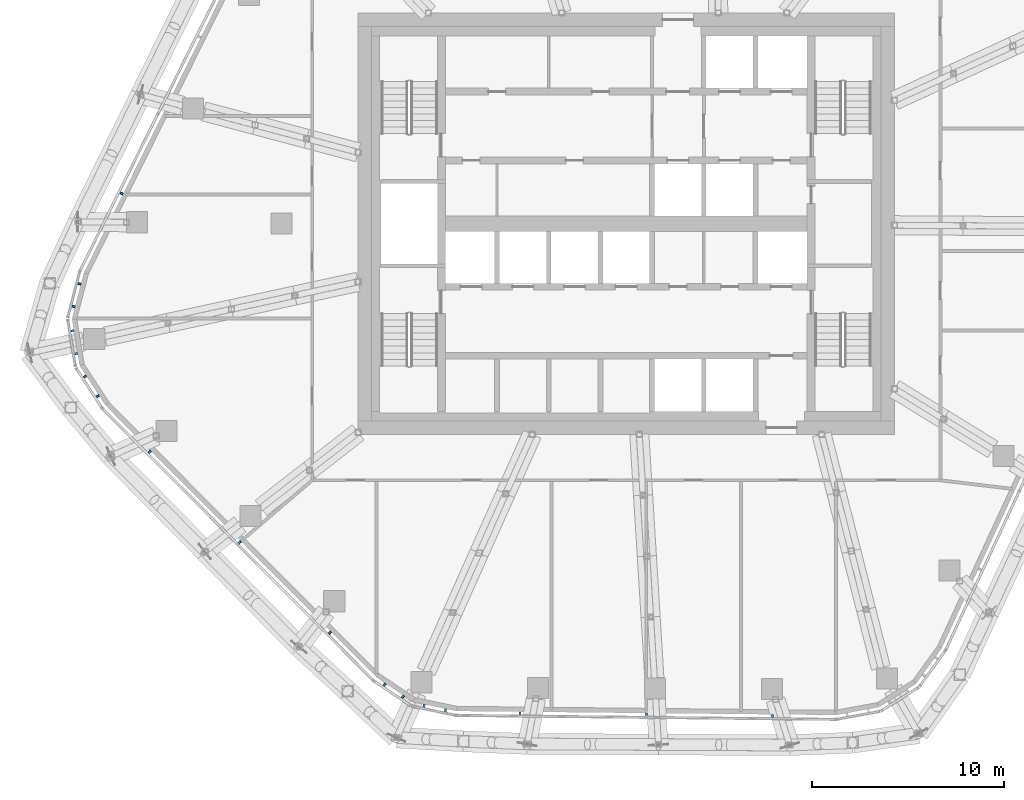
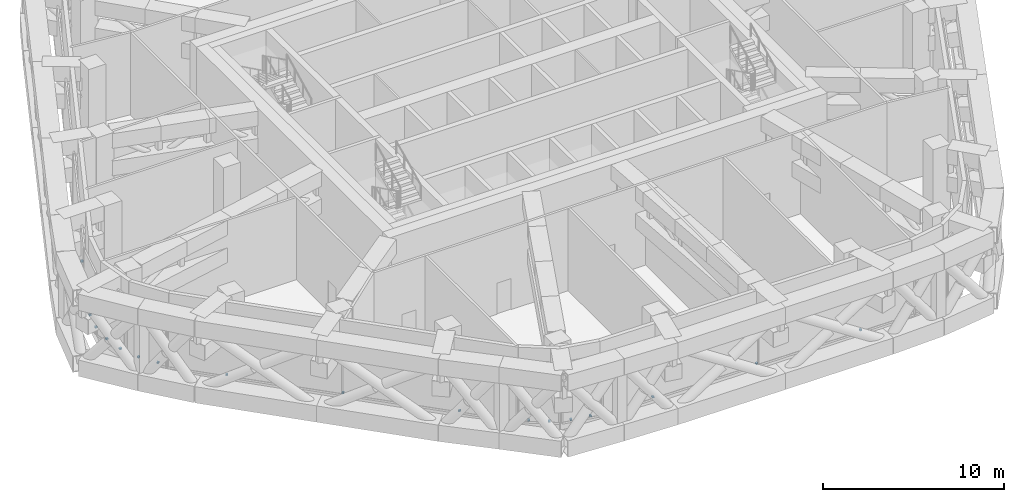
# One storey, part 21 of 31: 17 discrete accessories, 5 elements without a shape of their own.
"""IFC4 building model written with IfcOpenShell, lengths in metres."""

from ifc_helpers import new_model, si_unit, direction, frame, origin, origin_2d, place, context, subcontext, project, spatial, rectangle, extrude, material, layer, layer_set, type_object, element, aggregate, save


model = new_model("IFC4")

# Units and contexts
model_context = context("Model", 3, precision=1e-05, world=origin(), true_north=direction((0.0, 1.0)))
body_context = subcontext(model_context, "Body", "Model", "MODEL_VIEW")
ifc_project = project(units=[si_unit("LENGTHUNIT", "METRE"), si_unit("AREAUNIT", "SQUARE_METRE"), si_unit("VOLUMEUNIT", "CUBIC_METRE"), si_unit("PLANEANGLEUNIT", "RADIAN"), si_unit("MASSUNIT", "GRAM", prefix="KILO")], contexts=[model_context])

# Site, building, storey
site_placement = place(None, origin())
site = spatial("IfcSite", under=ifc_project, at=site_placement, CompositionType="ELEMENT")
building_placement = place(site_placement, origin())
building = spatial("IfcBuilding", under=site, at=building_placement, Name="Dongbaek Canopy Tower", CompositionType="ELEMENT")
storey_placement = place(building_placement, frame((0.0, 0.0, 283.199951171875)))
storey = spatial("IfcBuildingStorey", under=building, at=storey_placement, Name="L60", CompositionType="ELEMENT", Elevation=283.199951171875)

# Curtain wall, discrete accessory
ifc_material_1 = material(Name="Aluminium 6063-T6 pale anodised", Category="aluminium")
ifc_layer = layer(ifc_material_1, 0.14990234375)
ifc_layer_set = layer_set([ifc_layer], Name="CW-7 louvre curtain wall")
curtain_wall_type = type_object("IfcCurtainWallType", Name="CW-7 louvre curtain wall", PredefinedType="NOTDEFINED", material=ifc_layer_set)
curtain_wall_1_placement = place(storey_placement, origin())
curtain_wall_1 = element("IfcCurtainWall", 1, at=curtain_wall_1_placement, inside=storey, type_object=curtain_wall_type, Name="CW-7 louvre wall L60 F2", PredefinedType="NOTDEFINED")
ifc_material_2 = material(Name="Galvanised steel S355 bracket", Category="steel")
discrete_accessory_type = type_object("IfcDiscreteAccessoryType", Name="Louvre bracket BR1", PredefinedType="BRACKET", material=ifc_material_2)
discrete_accessory_1_placement = place(storey_placement, frame((-26.353515625, 1.576171875, 0.6650390625), z_axis=(0.0, 0.0, 1.0), x_axis=(-0.444962031451, -0.895549435021, 0.0)))
discrete_accessory_1 = element("IfcDiscreteAccessory", 2, at=discrete_accessory_1_placement, type_object=discrete_accessory_type, Name="Louvre bracket L60 F2.1.3", PredefinedType="BRACKET", context=body_context, shape_type="SweptSolid", body=[
    extrude(rectangle(XDim=0.1201171875, YDim=0.14990234375, at=origin_2d()), origin(), (0.0, 0.0, 1.0), 0.10009765625),
])
aggregate(curtain_wall_1, [discrete_accessory_1])

# Curtain wall, discrete accessories
curtain_wall_2_placement = place(storey_placement, origin())
curtain_wall_2 = element("IfcCurtainWall", 3, at=curtain_wall_2_placement, inside=storey, type_object=curtain_wall_type, Name="CW-7 louvre wall L60 K3", PredefinedType="NOTDEFINED")
discrete_accessory_2_placement = place(storey_placement, frame((-28.55322265625, -3.143310546875, 0.6650390625), z_axis=(0.0, 0.0, 1.0), x_axis=(-0.25097954757, -0.967992389795, 0.0)))
discrete_accessory_2 = element("IfcDiscreteAccessory", 4, at=discrete_accessory_2_placement, type_object=discrete_accessory_type, Name="Louvre bracket L60 K3.1.1", PredefinedType="BRACKET", context=body_context, shape_type="SweptSolid", body=[
    extrude(rectangle(XDim=0.1201171875, YDim=0.14990234375, at=origin_2d()), origin(), (0.0, 0.0, 1.0), 0.10009765625),
])
discrete_accessory_3_placement = place(storey_placement, frame((-28.859619140625, -4.32421875, 0.6650390625), z_axis=(0.0, 0.0, 1.0), x_axis=(-0.25097954757, -0.967992389795, 0.0)))
discrete_accessory_3 = element("IfcDiscreteAccessory", 5, at=discrete_accessory_3_placement, type_object=discrete_accessory_type, Name="Louvre bracket L60 K3.1.2", PredefinedType="BRACKET", context=body_context, shape_type="SweptSolid", body=[
    extrude(rectangle(XDim=0.1201171875, YDim=0.14990234375, at=origin_2d()), origin(), (0.0, 0.0, 1.0), 0.10009765625),
])
discrete_accessory_4_placement = place(storey_placement, frame((-28.9189453125, -5.596435546875, 0.6650390625), z_axis=(0.0, 0.0, 1.0), x_axis=(0.160490473121, -0.987037389382, 0.0)))
discrete_accessory_4 = element("IfcDiscreteAccessory", 6, at=discrete_accessory_4_placement, type_object=discrete_accessory_type, Name="Louvre bracket L60 K3.2.1", PredefinedType="BRACKET", context=body_context, shape_type="SweptSolid", body=[
    extrude(rectangle(XDim=0.1201171875, YDim=0.14990234375, at=origin_2d()), origin(), (0.0, 0.0, 1.0), 0.10009765625),
])
discrete_accessory_5_placement = place(storey_placement, frame((-28.72412109375, -6.79541015625, 0.6650390625), z_axis=(0.0, 0.0, 1.0), x_axis=(0.160490473121, -0.987037389382, 0.0)))
discrete_accessory_5 = element("IfcDiscreteAccessory", 7, at=discrete_accessory_5_placement, type_object=discrete_accessory_type, Name="Louvre bracket L60 K3.2.2", PredefinedType="BRACKET", context=body_context, shape_type="SweptSolid", body=[
    extrude(rectangle(XDim=0.1201171875, YDim=0.14990234375, at=origin_2d()), origin(), (0.0, 0.0, 1.0), 0.10009765625),
])
discrete_accessory_6_placement = place(storey_placement, frame((-28.2646484375, -7.983154296875, 0.6650390625), z_axis=(0.0, 0.0, 1.0), x_axis=(0.544730028706, -0.838611468933, 0.0)))
discrete_accessory_6 = element("IfcDiscreteAccessory", 8, at=discrete_accessory_6_placement, type_object=discrete_accessory_type, Name="Louvre bracket L60 K3.3.1", PredefinedType="BRACKET", context=body_context, shape_type="SweptSolid", body=[
    extrude(rectangle(XDim=0.1201171875, YDim=0.14990234375, at=origin_2d()), origin(), (0.0, 0.0, 1.0), 0.10009765625),
])
discrete_accessory_7_placement = place(storey_placement, frame((-27.60009765625, -9.00634765625, 0.6650390625), z_axis=(0.0, 0.0, 1.0), x_axis=(0.544730028706, -0.838611468933, 0.0)))
discrete_accessory_7 = element("IfcDiscreteAccessory", 9, at=discrete_accessory_7_placement, type_object=discrete_accessory_type, Name="Louvre bracket L60 K3.3.2", PredefinedType="BRACKET", context=body_context, shape_type="SweptSolid", body=[
    extrude(rectangle(XDim=0.1201171875, YDim=0.14990234375, at=origin_2d()), origin(), (0.0, 0.0, 1.0), 0.10009765625),
])
aggregate(curtain_wall_2, [discrete_accessory_2, discrete_accessory_3, discrete_accessory_4, discrete_accessory_5, discrete_accessory_6, discrete_accessory_7])

curtain_wall_3_placement = place(storey_placement, origin())
curtain_wall_3 = element("IfcCurtainWall", 10, at=curtain_wall_3_placement, inside=storey, type_object=curtain_wall_type, Name="CW-7 louvre wall L60 F3", PredefinedType="NOTDEFINED")
discrete_accessory_8_placement = place(storey_placement, frame((-24.887939453125, -11.91259765625, 0.6650390625), z_axis=(0.0, 0.0, 1.0), x_axis=(0.705768233351, -0.708442799944, 0.0)))
discrete_accessory_8 = element("IfcDiscreteAccessory", 11, at=discrete_accessory_8_placement, type_object=discrete_accessory_type, Name="Louvre bracket L60 F3.1.1", PredefinedType="BRACKET", context=body_context, shape_type="SweptSolid", body=[
    extrude(rectangle(XDim=0.1201171875, YDim=0.14990234375, at=origin_2d()), origin(), (0.0, 0.0, 1.0), 0.10009765625),
])
discrete_accessory_9_placement = place(storey_placement, frame((-20.1806640625, -16.6376953125, 0.6650390625), z_axis=(0.0, 0.0, 1.0), x_axis=(0.705768233351, -0.708442799944, 0.0)))
discrete_accessory_9 = element("IfcDiscreteAccessory", 12, at=discrete_accessory_9_placement, type_object=discrete_accessory_type, Name="Louvre bracket L60 F3.1.2", PredefinedType="BRACKET", context=body_context, shape_type="SweptSolid", body=[
    extrude(rectangle(XDim=0.1201171875, YDim=0.14990234375, at=origin_2d()), origin(), (0.0, 0.0, 1.0), 0.10009765625),
])
discrete_accessory_10_placement = place(storey_placement, frame((-15.473388671875, -21.36279296875, 0.6650390625), z_axis=(0.0, 0.0, 1.0), x_axis=(0.705768233351, -0.708442799944, 0.0)))
discrete_accessory_10 = element("IfcDiscreteAccessory", 13, at=discrete_accessory_10_placement, type_object=discrete_accessory_type, Name="Louvre bracket L60 F3.1.3", PredefinedType="BRACKET", context=body_context, shape_type="SweptSolid", body=[
    extrude(rectangle(XDim=0.1201171875, YDim=0.14990234375, at=origin_2d()), origin(), (0.0, 0.0, 1.0), 0.10009765625),
])
aggregate(curtain_wall_3, [discrete_accessory_8, discrete_accessory_9, discrete_accessory_10])

curtain_wall_4_placement = place(storey_placement, origin())
curtain_wall_4 = element("IfcCurtainWall", 14, at=curtain_wall_4_placement, inside=storey, type_object=curtain_wall_type, Name="CW-7 louvre wall L60 K4", PredefinedType="NOTDEFINED")
discrete_accessory_11_placement = place(storey_placement, frame((-12.615966796875, -24.069580078125, 0.6650390625), z_axis=(0.0, 0.0, 1.0), x_axis=(0.829222679522, -0.55891837308, 0.0)))
discrete_accessory_11 = element("IfcDiscreteAccessory", 15, at=discrete_accessory_11_placement, type_object=discrete_accessory_type, Name="Louvre bracket L60 K4.1.1", PredefinedType="BRACKET", context=body_context, shape_type="SweptSolid", body=[
    extrude(rectangle(XDim=0.1201171875, YDim=0.14990234375, at=origin_2d()), origin(), (0.0, 0.0, 1.0), 0.10009765625),
])
discrete_accessory_12_placement = place(storey_placement, frame((-11.66796875, -24.70849609375, 0.6650390625), z_axis=(0.0, 0.0, 1.0), x_axis=(0.829222679522, -0.55891837308, 0.0)))
discrete_accessory_12 = element("IfcDiscreteAccessory", 16, at=discrete_accessory_12_placement, type_object=discrete_accessory_type, Name="Louvre bracket L60 K4.1.2", PredefinedType="BRACKET", context=body_context, shape_type="SweptSolid", body=[
    extrude(rectangle(XDim=0.1201171875, YDim=0.14990234375, at=origin_2d()), origin(), (0.0, 0.0, 1.0), 0.10009765625),
])
discrete_accessory_13_placement = place(storey_placement, frame((-10.563232421875, -25.17431640625, 0.6650390625), z_axis=(0.0, 0.0, 1.0), x_axis=(0.979129372506, -0.203237968637, 0.0)))
discrete_accessory_13 = element("IfcDiscreteAccessory", 17, at=discrete_accessory_13_placement, type_object=discrete_accessory_type, Name="Louvre bracket L60 K4.2.1", PredefinedType="BRACKET", context=body_context, shape_type="SweptSolid", body=[
    extrude(rectangle(XDim=0.1201171875, YDim=0.14990234375, at=origin_2d()), origin(), (0.0, 0.0, 1.0), 0.10009765625),
])
discrete_accessory_14_placement = place(storey_placement, frame((-9.44384765625, -25.406494140625, 0.6650390625), z_axis=(0.0, 0.0, 1.0), x_axis=(0.979129372506, -0.203237968637, 0.0)))
discrete_accessory_14 = element("IfcDiscreteAccessory", 18, at=discrete_accessory_14_placement, type_object=discrete_accessory_type, Name="Louvre bracket L60 K4.2.2", PredefinedType="BRACKET", context=body_context, shape_type="SweptSolid", body=[
    extrude(rectangle(XDim=0.1201171875, YDim=0.14990234375, at=origin_2d()), origin(), (0.0, 0.0, 1.0), 0.10009765625),
])
aggregate(curtain_wall_4, [discrete_accessory_11, discrete_accessory_12, discrete_accessory_13, discrete_accessory_14])

curtain_wall_5_placement = place(storey_placement, origin())
curtain_wall_5 = element("IfcCurtainWall", 19, at=curtain_wall_5_placement, inside=storey, type_object=curtain_wall_type, Name="CW-7 louvre wall L60 F4", PredefinedType="NOTDEFINED")
discrete_accessory_15_placement = place(storey_placement, frame((-5.548828125, -25.561279296875, 0.6650390625), z_axis=(0.0, 0.0, 1.0), x_axis=(0.999945344365, -0.010455060118, 0.0)))
discrete_accessory_15 = element("IfcDiscreteAccessory", 20, at=discrete_accessory_15_placement, type_object=discrete_accessory_type, Name="Louvre bracket L60 F4.1.1", PredefinedType="BRACKET", context=body_context, shape_type="SweptSolid", body=[
    extrude(rectangle(XDim=0.1201171875, YDim=0.14990234375, at=origin_2d()), origin(), (0.0, 0.0, 1.0), 0.10009765625),
])
discrete_accessory_16_placement = place(storey_placement, frame((1.044921875, -25.63037109375, 0.6650390625), z_axis=(0.0, 0.0, 1.0), x_axis=(0.999945344365, -0.010455060118, 0.0)))
discrete_accessory_16 = element("IfcDiscreteAccessory", 21, at=discrete_accessory_16_placement, type_object=discrete_accessory_type, Name="Louvre bracket L60 F4.1.2", PredefinedType="BRACKET", context=body_context, shape_type="SweptSolid", body=[
    extrude(rectangle(XDim=0.1201171875, YDim=0.14990234375, at=origin_2d()), origin(), (0.0, 0.0, 1.0), 0.10009765625),
])
discrete_accessory_17_placement = place(storey_placement, frame((7.638427734375, -25.69921875, 0.6650390625), z_axis=(0.0, 0.0, 1.0), x_axis=(0.999945344365, -0.010455060118, 0.0)))
discrete_accessory_17 = element("IfcDiscreteAccessory", 22, at=discrete_accessory_17_placement, type_object=discrete_accessory_type, Name="Louvre bracket L60 F4.1.3", PredefinedType="BRACKET", context=body_context, shape_type="SweptSolid", body=[
    extrude(rectangle(XDim=0.1201171875, YDim=0.14990234375, at=origin_2d()), origin(), (0.0, 0.0, 1.0), 0.10009765625),
])
aggregate(curtain_wall_5, [discrete_accessory_15, discrete_accessory_16, discrete_accessory_17])

save(model, "model.ifc")
